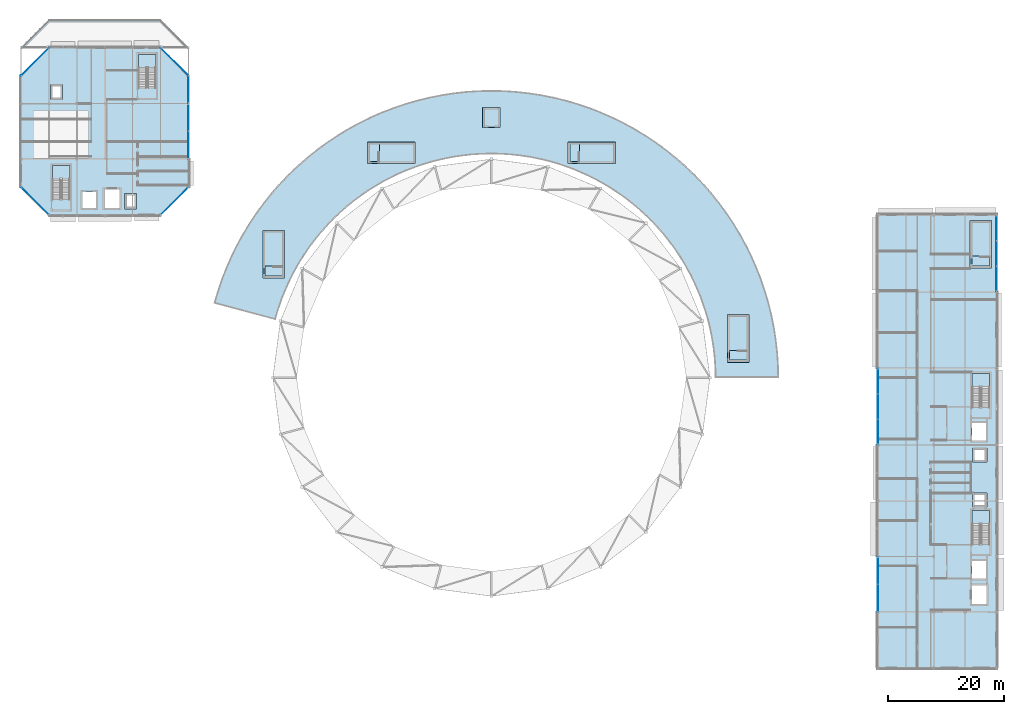
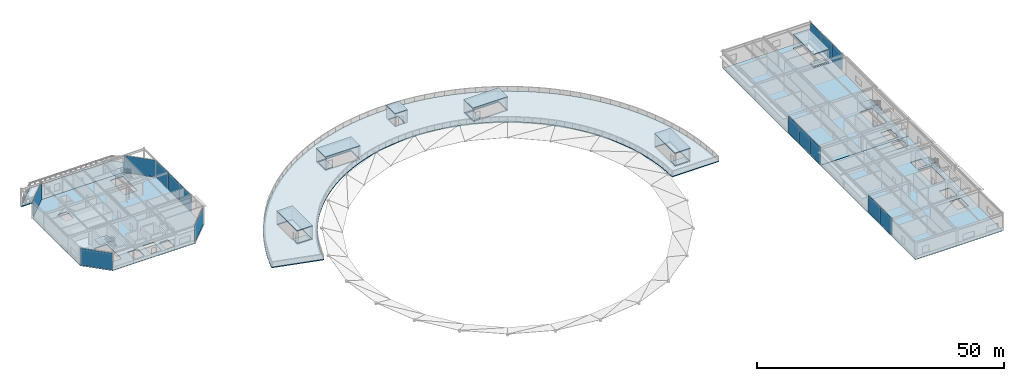
# One storey, part 26 of 50: 20 slabs, 15 plates, 13 elements without a shape of their own.
"""IFC4 building model written with IfcOpenShell, lengths in metres."""

from ifc_helpers import new_model, si_unit, direction, frame, origin, origin_2d, place, context, subcontext, project, spatial, polyline, rectangle, outline, extrude, material, layer, layer_set, type_object, element, aggregate, save


model = new_model("IFC4")

# Units and contexts
model_context = context("Model", 3, precision=1e-05, world=origin(), true_north=direction((0.0, 1.0)))
body_context = subcontext(model_context, "Body", "Model", "MODEL_VIEW")
ifc_project = project(units=[si_unit("LENGTHUNIT", "METRE"), si_unit("AREAUNIT", "SQUARE_METRE"), si_unit("VOLUMEUNIT", "CUBIC_METRE"), si_unit("PLANEANGLEUNIT", "RADIAN"), si_unit("MASSUNIT", "GRAM", prefix="KILO")], contexts=[model_context])

# Site, building, storey
site_placement = place(None, origin())
site = spatial("IfcSite", under=ifc_project, at=site_placement, CompositionType="ELEMENT")
building_placement = place(site_placement, origin())
building = spatial("IfcBuilding", under=site, at=building_placement, Name="Almandine Court Research Institute", CompositionType="ELEMENT")
storey_placement = place(building_placement, frame((0.0, 0.0, 23.449951171875)))
storey = spatial("IfcBuildingStorey", under=building, at=storey_placement, Name="L05", CompositionType="ELEMENT", Elevation=23.449951171875)

# Curtain wall, plate
ifc_material_1 = material(Name="Unitised Curtain Wall Framing and Solar Glazing", Category="glass")
curtain_wall_type_1 = type_object("IfcCurtainWallType", Name="CW-CWG-10", PredefinedType="USERDEFINED", material=ifc_material_1)
curtain_wall_1_placement = place(storey_placement, origin())
curtain_wall_1 = element("IfcCurtainWall", 1, at=curtain_wall_1_placement, inside=storey, type_object=curtain_wall_type_1, Name="L05 Cleanroom NW Chamfer Glazing", ObjectType="UNITISED GLAZING", PredefinedType="USERDEFINED")
ifc_material_2 = material(Name="Double-Glazed Low-E Argon Insulated Glass", Category="glass")
ifc_layer_1 = layer(ifc_material_2, 0.028076171875)
ifc_layer_set_1 = layer_set([ifc_layer_1], Name="Double-Glazed Low-E Argon Insulated Glass")
plate_type_1 = type_object("IfcPlateType", Name="CWPnl-GLZ-28", PredefinedType="CURTAIN_PANEL", material=ifc_layer_set_1)
plate_1_placement = place(storey_placement, frame((8.39990234375, 110.39990234375, 0.06005859375), z_axis=(0.0, 0.0, 1.0), x_axis=(0.707106781187, 0.707106781187, 0.0)))
plate_1 = element("IfcPlate", 2, at=plate_1_placement, type_object=plate_type_1, Name="CWG-10 panel 1.1", PredefinedType="CURTAIN_PANEL", context=body_context, shape_type="SweptSolid", body=[
    extrude(rectangle(XDim=6.656982421875, YDim=0.028076171875, at=origin_2d()), origin(), (0.0, 0.0, 1.0), 4.18994140625),
])
aggregate(curtain_wall_1, [plate_1])

curtain_wall_2_placement = place(storey_placement, origin())
curtain_wall_2 = element("IfcCurtainWall", 3, at=curtain_wall_2_placement, inside=storey, type_object=curtain_wall_type_1, Name="L05 Cleanroom NE Chamfer Glazing", ObjectType="UNITISED GLAZING", PredefinedType="USERDEFINED")
plate_2_placement = place(storey_placement, frame((32.39990234375, 110.39990234375, 0.06005859375), z_axis=(0.0, 0.0, 1.0), x_axis=(0.707106781187, -0.707106781187, 0.0)))
plate_2 = element("IfcPlate", 4, at=plate_2_placement, type_object=plate_type_1, Name="CWG-10 panel 1.1", PredefinedType="CURTAIN_PANEL", context=body_context, shape_type="SweptSolid", body=[
    extrude(rectangle(XDim=6.656982421875, YDim=0.028076171875, at=origin_2d()), origin(), (0.0, 0.0, 1.0), 4.18994140625),
])
aggregate(curtain_wall_2, [plate_2])

curtain_wall_3_placement = place(storey_placement, origin())
curtain_wall_3 = element("IfcCurtainWall", 5, at=curtain_wall_3_placement, inside=storey, type_object=curtain_wall_type_1, Name="L05 Cleanroom SE Chamfer Glazing", ObjectType="UNITISED GLAZING", PredefinedType="USERDEFINED")
plate_3_placement = place(storey_placement, frame((32.39990234375, 86.39990234375, 0.06005859375), z_axis=(0.0, 0.0, 1.0), x_axis=(-0.707106781187, -0.707106781187, 0.0)))
plate_3 = element("IfcPlate", 6, at=plate_3_placement, type_object=plate_type_1, Name="CWG-10 panel 1.1", PredefinedType="CURTAIN_PANEL", context=body_context, shape_type="SweptSolid", body=[
    extrude(rectangle(XDim=6.656982421875, YDim=0.028076171875, at=origin_2d()), origin(), (0.0, 0.0, 1.0), 4.18994140625),
])
aggregate(curtain_wall_3, [plate_3])

curtain_wall_4_placement = place(storey_placement, origin())
curtain_wall_4 = element("IfcCurtainWall", 7, at=curtain_wall_4_placement, inside=storey, type_object=curtain_wall_type_1, Name="L05 Cleanroom SW Chamfer Glazing", ObjectType="UNITISED GLAZING", PredefinedType="USERDEFINED")
plate_4_placement = place(storey_placement, frame((8.39990234375, 86.39990234375, 0.06005859375), z_axis=(0.0, 0.0, 1.0), x_axis=(-0.707106781187, 0.707106781187, 0.0)))
plate_4 = element("IfcPlate", 8, at=plate_4_placement, type_object=plate_type_1, Name="CWG-10 panel 1.1", PredefinedType="CURTAIN_PANEL", context=body_context, shape_type="SweptSolid", body=[
    extrude(rectangle(XDim=6.656982421875, YDim=0.028076171875, at=origin_2d()), origin(), (0.0, 0.0, 1.0), 4.18994140625),
])
aggregate(curtain_wall_4, [plate_4])

# Curtain wall, plates
curtain_wall_type_2 = type_object("IfcCurtainWallType", Name="CW-CWJ-11", PredefinedType="USERDEFINED", material=ifc_material_1)
curtain_wall_5_placement = place(storey_placement, origin())
curtain_wall_5 = element("IfcCurtainWall", 9, at=curtain_wall_5_placement, inside=storey, type_object=curtain_wall_type_2, Name="L05 Cleanroom East Courtyard Jali Screen 2", ObjectType="SOLAR JALI SCREEN", PredefinedType="USERDEFINED")
ifc_material_3 = material(Name="Perforated Ochre Terracotta Jali Solar Cassette", Category="masonry")
ifc_layer_2 = layer(ifc_material_3, 0.035888671875)
ifc_layer_set_2 = layer_set([ifc_layer_2], Name="Perforated Ochre Terracotta Jali Solar Cassette")
plate_type_2 = type_object("IfcPlateType", Name="CWPnl-JALI-36", PredefinedType="CURTAIN_PANEL", material=ifc_layer_set_2)
plate_5_placement = place(storey_placement, frame((34.800048828125, 100.78173828125, 0.06494140625), z_axis=(0.0, 0.0, 1.0), x_axis=(0.0, -1.0, 0.0)))
plate_5 = element("IfcPlate", 10, at=plate_5_placement, type_object=plate_type_2, Name="CWJ-11 panel 1.1", PredefinedType="CURTAIN_PANEL", context=body_context, shape_type="SweptSolid", body=[
    extrude(rectangle(XDim=4.698486328125, YDim=0.035888671875, at=origin_2d()), origin(), (0.0, 0.0, 1.0), 4.179931640625),
])
plate_6_placement = place(storey_placement, frame((34.800048828125, 96.018310546875, 0.06494140625), z_axis=(0.0, 0.0, 1.0), x_axis=(0.0, -1.0, 0.0)))
plate_6 = element("IfcPlate", 11, at=plate_6_placement, type_object=plate_type_2, Name="CWJ-11 panel 2.1", PredefinedType="CURTAIN_PANEL", context=body_context, shape_type="SweptSolid", body=[
    extrude(rectangle(XDim=4.698486328125, YDim=0.035888671875, at=origin_2d()), origin(), (0.0, 0.0, 1.0), 4.179931640625),
])
aggregate(curtain_wall_5, [plate_5, plate_6])

# Curtain wall, plate
curtain_wall_type_3 = type_object("IfcCurtainWallType", Name="CW-CWJ-12", PredefinedType="USERDEFINED", material=ifc_material_1)
curtain_wall_6_placement = place(storey_placement, origin())
curtain_wall_6 = element("IfcCurtainWall", 12, at=curtain_wall_6_placement, inside=storey, type_object=curtain_wall_type_3, Name="L05 Cleanroom East Courtyard Jali Screen 3", ObjectType="SOLAR JALI SCREEN", PredefinedType="USERDEFINED")
plate_7_placement = place(storey_placement, frame((34.800048828125, 105.60009765625, 0.06494140625), z_axis=(0.0, 0.0, 1.0), x_axis=(0.0, -1.0, 0.0)))
plate_7 = element("IfcPlate", 13, at=plate_7_placement, type_object=plate_type_2, Name="CWJ-12 panel 1.1", PredefinedType="CURTAIN_PANEL", context=body_context, shape_type="SweptSolid", body=[
    extrude(rectangle(XDim=4.662109375, YDim=0.035888671875, at=origin_2d()), origin(), (0.0, 0.0, 1.0), 4.179931640625),
])
aggregate(curtain_wall_6, [plate_7])

# Curtain wall, plates
curtain_wall_type_4 = type_object("IfcCurtainWallType", Name="CW-CWJ-09", PredefinedType="USERDEFINED", material=ifc_material_1)
curtain_wall_7_placement = place(storey_placement, origin())
curtain_wall_7 = element("IfcCurtainWall", 14, at=curtain_wall_7_placement, inside=storey, type_object=curtain_wall_type_4, Name="L05 Wet Lab West Courtyard Jali Curtain Wall 2", ObjectType="SOLAR JALI SCREEN", PredefinedType="USERDEFINED")
plate_8_placement = place(storey_placement, frame((153.60009765625, 18.018310546875, 0.06494140625), z_axis=(0.0, 0.0, 1.0), x_axis=(0.0, 1.0, 0.0)))
plate_8 = element("IfcPlate", 15, at=plate_8_placement, type_object=plate_type_2, Name="CWJ-09 panel 1.1", PredefinedType="CURTAIN_PANEL", context=body_context, shape_type="SweptSolid", body=[
    extrude(rectangle(XDim=4.698486328125, YDim=0.035888671875, at=origin_2d()), origin(), (0.0, 0.0, 1.0), 4.239990234375),
])
plate_9_placement = place(storey_placement, frame((153.60009765625, 22.78173828125, 0.06494140625), z_axis=(0.0, 0.0, 1.0), x_axis=(0.0, 1.0, 0.0)))
plate_9 = element("IfcPlate", 16, at=plate_9_placement, type_object=plate_type_2, Name="CWJ-09 panel 2.1", PredefinedType="CURTAIN_PANEL", context=body_context, shape_type="SweptSolid", body=[
    extrude(rectangle(XDim=4.698486328125, YDim=0.035888671875, at=origin_2d()), origin(), (0.0, 0.0, 1.0), 4.239990234375),
])
aggregate(curtain_wall_7, [plate_8, plate_9])

curtain_wall_type_5 = type_object("IfcCurtainWallType", Name="CW-CWJ-16", PredefinedType="USERDEFINED", material=ifc_material_1)
curtain_wall_8_placement = place(storey_placement, origin())
curtain_wall_8 = element("IfcCurtainWall", 17, at=curtain_wall_8_placement, inside=storey, type_object=curtain_wall_type_5, Name="L05 Wet Lab West Courtyard Jali Curtain Wall 5", ObjectType="SOLAR JALI SCREEN", PredefinedType="USERDEFINED")
plate_10_placement = place(storey_placement, frame((153.60009765625, 46.618896484375, 0.06494140625), z_axis=(0.0, 0.0, 1.0), x_axis=(0.0, 1.0, 0.0)))
plate_10 = element("IfcPlate", 18, at=plate_10_placement, type_object=plate_type_2, Name="CWJ-16 panel 1.1", PredefinedType="CURTAIN_PANEL", context=body_context, shape_type="SweptSolid", body=[
    extrude(rectangle(XDim=4.2998046875, YDim=0.035888671875, at=origin_2d()), origin(), (0.0, 0.0, 1.0), 4.239990234375),
])
plate_11_placement = place(storey_placement, frame((153.60009765625, 51.0, 0.06494140625), z_axis=(0.0, 0.0, 1.0), x_axis=(0.0, 1.0, 0.0)))
plate_11 = element("IfcPlate", 19, at=plate_11_placement, type_object=plate_type_2, Name="CWJ-16 panel 2.1", PredefinedType="CURTAIN_PANEL", context=body_context, shape_type="SweptSolid", body=[
    extrude(rectangle(XDim=4.332275390625, YDim=0.035888671875, at=origin_2d()), origin(), (0.0, 0.0, 1.0), 4.239990234375),
])
plate_12_placement = place(storey_placement, frame((153.60009765625, 55.381103515625, 0.06494140625), z_axis=(0.0, 0.0, 1.0), x_axis=(0.0, 1.0, 0.0)))
plate_12 = element("IfcPlate", 20, at=plate_12_placement, type_object=plate_type_2, Name="CWJ-16 panel 3.1", PredefinedType="CURTAIN_PANEL", context=body_context, shape_type="SweptSolid", body=[
    extrude(rectangle(XDim=4.2998046875, YDim=0.035888671875, at=origin_2d()), origin(), (0.0, 0.0, 1.0), 4.239990234375),
])
aggregate(curtain_wall_8, [plate_10, plate_11, plate_12])

curtain_wall_9_placement = place(storey_placement, origin())
curtain_wall_9 = element("IfcCurtainWall", 21, at=curtain_wall_9_placement, inside=storey, type_object=curtain_wall_type_5, Name="L05 Wet Lab East Jali Curtain Wall 7", ObjectType="SOLAR JALI SCREEN", PredefinedType="USERDEFINED")
plate_13_placement = place(storey_placement, frame((174.0, 81.781005859375, 0.06494140625), z_axis=(0.0, 0.0, 1.0), x_axis=(0.0, -1.0, 0.0)))
plate_13 = element("IfcPlate", 22, at=plate_13_placement, type_object=plate_type_2, Name="CWJ-16 panel 1.1", PredefinedType="CURTAIN_PANEL", context=body_context, shape_type="SweptSolid", body=[
    extrude(rectangle(XDim=4.2998046875, YDim=0.035888671875, at=origin_2d()), origin(), (0.0, 0.0, 1.0), 4.239990234375),
])
plate_14_placement = place(storey_placement, frame((174.0, 77.39990234375, 0.06494140625), z_axis=(0.0, 0.0, 1.0), x_axis=(0.0, -1.0, 0.0)))
plate_14 = element("IfcPlate", 23, at=plate_14_placement, type_object=plate_type_2, Name="CWJ-16 panel 2.1", PredefinedType="CURTAIN_PANEL", context=body_context, shape_type="SweptSolid", body=[
    extrude(rectangle(XDim=4.332275390625, YDim=0.035888671875, at=origin_2d()), origin(), (0.0, 0.0, 1.0), 4.239990234375),
])
plate_15_placement = place(storey_placement, frame((174.0, 73.018798828125, 0.06494140625), z_axis=(0.0, 0.0, 1.0), x_axis=(0.0, -1.0, 0.0)))
plate_15 = element("IfcPlate", 24, at=plate_15_placement, type_object=plate_type_2, Name="CWJ-16 panel 3.1", PredefinedType="CURTAIN_PANEL", context=body_context, shape_type="SweptSolid", body=[
    extrude(rectangle(XDim=4.2998046875, YDim=0.035888671875, at=origin_2d()), origin(), (0.0, 0.0, 1.0), 4.239990234375),
])
aggregate(curtain_wall_9, [plate_13, plate_14, plate_15])

# Slabs
ifc_material_4 = material(Name="Concrete C35/45", Category="concrete")
ifc_layer_3 = layer(ifc_material_4, 0.179931640625)
ifc_layer_set_3 = layer_set([ifc_layer_3], Name="Concrete C35/45")
slab_type_1 = type_object("IfcSlabType", Name="Slab-FLR-180", PredefinedType="FLOOR", material=ifc_layer_set_3)
slab_1_placement = place(storey_placement, frame((0.0, 0.0, -0.179931640625)))
element("IfcSlab", 25, at=slab_1_placement, inside=storey, type_object=slab_type_1, Name="L05 Volume 3 Cleanroom Pavilion Floor Slab ", PredefinedType="FLOOR", context=body_context, shape_type="SweptSolid", body=[
    extrude(outline(polyline([(10.800048828125, 84.0), (30.0, 84.0), (34.800048828125, 88.800048828125), (34.800048828125, 108.0), (30.0, 112.800048828125), (10.800048828125, 112.800048828125), (6.0, 108.0), (6.0, 88.800048828125), (10.800048828125, 84.0)]), holes=[polyline([(14.39990234375, 86.64990234375), (14.39990234375, 92.5), (11.39990234375, 92.5), (11.39990234375, 86.64990234375), (14.39990234375, 86.64990234375)]), polyline([(29.199951171875, 105.85009765625), (29.199951171875, 111.699951171875), (26.199951171875, 111.699951171875), (26.199951171875, 105.85009765625), (29.199951171875, 105.85009765625)]), polyline([(16.60009765625, 85.199951171875), (18.89990234375, 85.199951171875), (18.89990234375, 88.0), (16.60009765625, 88.0), (16.60009765625, 85.199951171875)]), polyline([(20.39990234375, 85.199951171875), (22.89990234375, 85.199951171875), (22.89990234375, 88.39990234375), (20.39990234375, 88.39990234375), (20.39990234375, 85.199951171875)]), polyline([(23.830078125, 85.080078125), (25.8701171875, 85.080078125), (25.8701171875, 87.719970703125), (23.830078125, 87.719970703125), (23.830078125, 85.080078125)]), polyline([(11.080078125, 103.8798828125), (13.1201171875, 103.8798828125), (13.1201171875, 106.52001953125), (11.080078125, 106.52001953125), (11.080078125, 103.8798828125)])]), origin(), (0.0, 0.0, 1.0), 0.179931640625),
])
slab_2_placement = place(storey_placement, frame((0.0, 0.0, -0.179931640625)))
element("IfcSlab", 26, at=slab_2_placement, inside=storey, type_object=slab_type_1, Name="L05 Volume 4 Wet Laboratory S Floor Slab", PredefinedType="FLOOR", context=body_context, shape_type="SweptSolid", body=[
    extrude(outline(polyline([(153.60009765625, 6.0), (174.0, 6.0), (174.0, 44.39990234375), (153.60009765625, 44.39990234375), (153.60009765625, 6.0)]), holes=[polyline([(172.800048828125, 27.25), (172.800048828125, 33.10009765625), (169.800048828125, 33.10009765625), (169.800048828125, 27.25), (172.800048828125, 27.25)]), polyline([(169.800048828125, 21.39990234375), (172.199951171875, 21.39990234375), (172.199951171875, 24.39990234375), (169.800048828125, 24.39990234375), (169.800048828125, 21.39990234375)]), polyline([(169.800048828125, 17.0), (172.300048828125, 17.0), (172.300048828125, 20.199951171875), (169.800048828125, 20.199951171875), (169.800048828125, 17.0)]), polyline([(169.8798828125, 33.679931640625), (172.320068359375, 33.679931640625), (172.320068359375, 36.1201171875), (169.8798828125, 36.1201171875), (169.8798828125, 33.679931640625)]), polyline([(169.8798828125, 41.47998046875), (172.320068359375, 41.47998046875), (172.320068359375, 43.919921875), (169.8798828125, 43.919921875), (169.8798828125, 41.47998046875)])]), origin(), (0.0, 0.0, 1.0), 0.179931640625),
])
slab_3_placement = place(storey_placement, frame((0.0, 0.0, -0.179931640625)))
element("IfcSlab", 27, at=slab_3_placement, inside=storey, type_object=slab_type_1, Name="L05 Volume 4 Wet Laboratory N Floor Slab", PredefinedType="FLOOR", context=body_context, shape_type="SweptSolid", body=[
    extrude(outline(polyline([(153.60009765625, 44.39990234375), (174.0, 44.39990234375), (174.0, 84.0), (153.60009765625, 84.0), (153.60009765625, 44.39990234375)]), holes=[polyline([(172.800048828125, 50.85009765625), (172.800048828125, 56.699951171875), (169.800048828125, 56.699951171875), (169.800048828125, 50.85009765625), (172.800048828125, 50.85009765625)]), polyline([(169.47998046875, 74.8798828125), (173.1201171875, 74.8798828125), (173.1201171875, 83.02001953125), (169.47998046875, 83.02001953125), (169.47998046875, 74.8798828125)]), polyline([(169.800048828125, 45.199951171875), (172.199951171875, 45.199951171875), (172.199951171875, 48.199951171875), (169.800048828125, 48.199951171875), (169.800048828125, 45.199951171875)])]), origin(), (0.0, 0.0, 1.0), 0.179931640625),
])

# Stair, slab
stair_type = type_object("IfcStairType", Name="Stair-Core-26R", PredefinedType="HALF_TURN_STAIR", material=ifc_material_4)
stair_1_placement = place(storey_placement, origin())
stair_1 = element("IfcStair", 28, at=stair_1_placement, inside=storey, type_object=stair_type, Name="L05 Cleanroom Pavilion South Exit Stair", PredefinedType="HALF_TURN_STAIR")
ifc_layer_4 = layer(ifc_material_4, 0.179931640625)
ifc_layer_set_4 = layer_set([ifc_layer_4], Name="Concrete C35/45")
slab_type_2 = type_object("IfcSlabType", Name="Slab-Landing-180", PredefinedType="LANDING", material=ifc_layer_set_4)
slab_4_placement = place(storey_placement, frame((0.0, 0.0, 2.094970703125)))
slab_4 = element("IfcSlab", 29, at=slab_4_placement, type_object=slab_type_2, Name="ST-05 landing 1", PredefinedType="LANDING", context=body_context, shape_type="SweptSolid", body=[
    extrude(outline(polyline([(14.39990234375, 90.25), (14.39990234375, 92.5), (11.39990234375, 92.5), (11.39990234375, 90.25), (14.39990234375, 90.25)])), origin(), (0.0, 0.0, 1.0), 0.18017578125),
])
aggregate(stair_1, [slab_4])

stair_2_placement = place(storey_placement, origin())
stair_2 = element("IfcStair", 30, at=stair_2_placement, inside=storey, type_object=stair_type, Name="L05 Cleanroom Pavilion North Exit Stair", PredefinedType="HALF_TURN_STAIR")
slab_5_placement = place(storey_placement, frame((0.0, 0.0, 2.094970703125)))
slab_5 = element("IfcSlab", 31, at=slab_5_placement, type_object=slab_type_2, Name="ST-06 landing 1", PredefinedType="LANDING", context=body_context, shape_type="SweptSolid", body=[
    extrude(outline(polyline([(29.199951171875, 109.449951171875), (29.199951171875, 111.699951171875), (26.199951171875, 111.699951171875), (26.199951171875, 109.449951171875), (29.199951171875, 109.449951171875)])), origin(), (0.0, 0.0, 1.0), 0.18017578125),
])
aggregate(stair_2, [slab_5])

stair_3_placement = place(storey_placement, origin())
stair_3 = element("IfcStair", 32, at=stair_3_placement, inside=storey, type_object=stair_type, Name="L05 Wet Lab South High-Rise Core Stair", PredefinedType="HALF_TURN_STAIR")
slab_6_placement = place(storey_placement, frame((0.0, 0.0, 2.094970703125)))
slab_6 = element("IfcSlab", 33, at=slab_6_placement, type_object=slab_type_2, Name="ST-07 landing 1", PredefinedType="LANDING", context=body_context, shape_type="SweptSolid", body=[
    extrude(outline(polyline([(172.800048828125, 30.85009765625), (172.800048828125, 33.10009765625), (169.800048828125, 33.10009765625), (169.800048828125, 30.85009765625), (172.800048828125, 30.85009765625)])), origin(), (0.0, 0.0, 1.0), 0.18017578125),
])
aggregate(stair_3, [slab_6])

stair_4_placement = place(storey_placement, origin())
stair_4 = element("IfcStair", 34, at=stair_4_placement, inside=storey, type_object=stair_type, Name="L05 Wet Lab Central High-Rise Core Stair", PredefinedType="HALF_TURN_STAIR")
slab_7_placement = place(storey_placement, frame((0.0, 0.0, 2.094970703125)))
slab_7 = element("IfcSlab", 35, at=slab_7_placement, type_object=slab_type_2, Name="ST-08 landing 1", PredefinedType="LANDING", context=body_context, shape_type="SweptSolid", body=[
    extrude(outline(polyline([(172.800048828125, 54.449951171875), (172.800048828125, 56.699951171875), (169.800048828125, 56.699951171875), (169.800048828125, 54.449951171875), (172.800048828125, 54.449951171875)])), origin(), (0.0, 0.0, 1.0), 0.18017578125),
])
aggregate(stair_4, [slab_7])

# Slabs
ifc_layer_5 = layer(ifc_material_4, 0.199951171875)
ifc_layer_set_5 = layer_set([ifc_layer_5], Name="Concrete C35/45")
slab_type_3 = type_object("IfcSlabType", Name="Slab-PHF-200", PredefinedType="FLOOR", material=ifc_layer_set_5)
slab_8_placement = place(storey_placement, frame((0.0, 0.0, -0.199951171875)))
element("IfcSlab", 36, at=slab_8_placement, inside=storey, type_object=slab_type_3, Name="L05 ST-13 Penthouse Landing Slab", PredefinedType="FLOOR", context=body_context, shape_type="SweptSolid", body=[
    extrude(outline(polyline([(172.800048828125, 75.199951171875), (172.800048828125, 76.909912109375), (169.800048828125, 76.909912109375), (169.800048828125, 75.199951171875), (172.800048828125, 75.199951171875)])), origin(), (0.0, 0.0, 1.0), 0.199951171875),
])
slab_9_placement = place(storey_placement, frame((0.0, 0.0, -0.199951171875)))
element("IfcSlab", 37, at=slab_9_placement, inside=storey, type_object=slab_type_3, Name="L05 ST-09 Penthouse Landing Slab", PredefinedType="FLOOR", context=body_context, shape_type="SweptSolid", body=[
    extrude(outline(polyline([(100.5, 93.199951171875), (102.2099609375, 93.199951171875), (102.2099609375, 96.199951171875), (100.5, 96.199951171875), (100.5, 93.199951171875)])), origin(), (0.0, 0.0, 1.0), 0.199951171875),
])
slab_10_placement = place(storey_placement, frame((0.0, 0.0, -0.199951171875)))
element("IfcSlab", 38, at=slab_10_placement, inside=storey, type_object=slab_type_3, Name="L05 ST-10 Penthouse Landing Slab", PredefinedType="FLOOR", context=body_context, shape_type="SweptSolid", body=[
    extrude(outline(polyline([(66.0, 93.199951171875), (67.7099609375, 93.199951171875), (67.7099609375, 96.199951171875), (66.0, 96.199951171875), (66.0, 93.199951171875)])), origin(), (0.0, 0.0, 1.0), 0.199951171875),
])
slab_11_placement = place(storey_placement, frame((0.0, 0.0, -0.199951171875)))
element("IfcSlab", 39, at=slab_11_placement, inside=storey, type_object=slab_type_3, Name="L05 ST-14 Penthouse Landing Slab", PredefinedType="FLOOR", context=body_context, shape_type="SweptSolid", body=[
    extrude(outline(polyline([(131.0, 59.0), (131.0, 60.7099609375), (128.0, 60.7099609375), (128.0, 59.0), (131.0, 59.0)])), origin(), (0.0, 0.0, 1.0), 0.199951171875),
])
slab_12_placement = place(storey_placement, frame((0.0, 0.0, -0.199951171875)))
element("IfcSlab", 40, at=slab_12_placement, inside=storey, type_object=slab_type_3, Name="L05 ST-15 Penthouse Landing Slab", PredefinedType="FLOOR", context=body_context, shape_type="SweptSolid", body=[
    extrude(outline(polyline([(51.0, 73.5), (51.0, 75.2099609375), (48.0, 75.2099609375), (48.0, 73.5), (51.0, 73.5)])), origin(), (0.0, 0.0, 1.0), 0.199951171875),
])
ifc_layer_6 = layer(ifc_material_4, 0.199951171875)
ifc_layer_set_6 = layer_set([ifc_layer_6], Name="Concrete C35/45")
slab_type_4 = type_object("IfcSlabType", Name="Slab-RF-200", PredefinedType="ROOF", material=ifc_layer_set_6)
slab_13_placement = place(storey_placement, frame((0.0, 0.0, 3.199951171875)))
element("IfcSlab", 41, at=slab_13_placement, inside=storey, type_object=slab_type_4, Name="L05 ST-13 Stair Penthouse Roof Slab", PredefinedType="ROOF", context=body_context, shape_type="SweptSolid", body=[
    extrude(outline(polyline([(169.449951171875, 74.85009765625), (173.14990234375, 74.85009765625), (173.14990234375, 83.050048828125), (169.449951171875, 83.050048828125), (169.449951171875, 74.85009765625)])), origin(), (0.0, 0.0, 1.0), 0.2001953125),
])
slab_14_placement = place(storey_placement, frame((0.0, 0.0, 3.199951171875)))
element("IfcSlab", 42, at=slab_14_placement, inside=storey, type_object=slab_type_4, Name="L05 ST-09 Stair Penthouse Roof Slab", PredefinedType="ROOF", context=body_context, shape_type="SweptSolid", body=[
    extrude(outline(polyline([(100.14990234375, 92.85009765625), (108.35009765625, 92.85009765625), (108.35009765625, 96.550048828125), (100.14990234375, 96.550048828125), (100.14990234375, 92.85009765625)])), origin(), (0.0, 0.0, 1.0), 0.2001953125),
])
slab_15_placement = place(storey_placement, frame((0.0, 0.0, 3.199951171875)))
element("IfcSlab", 43, at=slab_15_placement, inside=storey, type_object=slab_type_4, Name="L05 ST-10 Stair Penthouse Roof Slab", PredefinedType="ROOF", context=body_context, shape_type="SweptSolid", body=[
    extrude(outline(polyline([(65.64990234375, 92.85009765625), (73.85009765625, 92.85009765625), (73.85009765625, 96.550048828125), (65.64990234375, 96.550048828125), (65.64990234375, 92.85009765625)])), origin(), (0.0, 0.0, 1.0), 0.2001953125),
])
slab_16_placement = place(storey_placement, frame((0.0, 0.0, 3.199951171875)))
element("IfcSlab", 44, at=slab_16_placement, inside=storey, type_object=slab_type_4, Name="L05 ST-14 Stair Penthouse Roof Slab", PredefinedType="ROOF", context=body_context, shape_type="SweptSolid", body=[
    extrude(outline(polyline([(127.64990234375, 58.64990234375), (131.35009765625, 58.64990234375), (131.35009765625, 66.85009765625), (127.64990234375, 66.85009765625), (127.64990234375, 58.64990234375)])), origin(), (0.0, 0.0, 1.0), 0.2001953125),
])
slab_17_placement = place(storey_placement, frame((0.0, 0.0, 3.199951171875)))
element("IfcSlab", 45, at=slab_17_placement, inside=storey, type_object=slab_type_4, Name="L05 ST-15 Stair Penthouse Roof Slab", PredefinedType="ROOF", context=body_context, shape_type="SweptSolid", body=[
    extrude(outline(polyline([(47.64990234375, 73.14990234375), (51.35009765625, 73.14990234375), (51.35009765625, 81.35009765625), (47.64990234375, 81.35009765625), (47.64990234375, 73.14990234375)])), origin(), (0.0, 0.0, 1.0), 0.2001953125),
])
slab_18_placement = place(storey_placement, frame((0.0, 0.0, 3.199951171875)))
element("IfcSlab", 46, at=slab_18_placement, inside=storey, type_object=slab_type_4, Name="L05 PL-04 Lift Overrun Roof Slab", PredefinedType="ROOF", context=body_context, shape_type="SweptSolid", body=[
    extrude(outline(polyline([(85.5, 99.050048828125), (88.5, 99.050048828125), (88.5, 102.550048828125), (85.5, 102.550048828125), (85.5, 99.050048828125)])), origin(), (0.0, 0.0, 1.0), 0.2001953125),
])
ifc_layer_7 = layer(ifc_material_4, 0.239990234375)
ifc_layer_set_7 = layer_set([ifc_layer_7], Name="Concrete C35/45")
slab_type_5 = type_object("IfcSlabType", Name="Slab-RF-240", PredefinedType="ROOF", material=ifc_layer_set_7)
slab_19_placement = place(storey_placement, frame((0.0, 0.0, -0.239990234375)))
element("IfcSlab", 47, at=slab_19_placement, inside=storey, type_object=slab_type_5, Name="L05 Volume 5 Planted Drum Roof Terrace Slab", PredefinedType="ROOF", context=body_context, shape_type="SweptSolid", body=[
    extrude(outline(polyline([(136.5, 56.0), (136.452880859375, 58.158935546875), (136.31201171875, 60.31396484375), (136.076904296875, 62.4609375), (135.748046875, 64.595947265625), (135.326904296875, 66.714111328125), (134.81298828125, 68.81201171875), (134.208984375, 70.885009765625), (133.514892578125, 72.929931640625), (132.73193359375, 74.943115234375), (131.862060546875, 76.919921875), (130.906982421875, 78.85693359375), (129.867919921875, 80.75), (128.748046875, 82.595947265625), (127.548095703125, 84.39208984375), (126.27099609375, 86.134033203125), (124.9189453125, 87.818115234375), (123.4951171875, 89.44189453125), (122.001953125, 91.001953125), (120.44189453125, 92.4951171875), (118.818115234375, 93.9189453125), (117.134033203125, 95.27099609375), (115.39208984375, 96.548095703125), (113.595947265625, 97.748046875), (111.75, 98.867919921875), (109.85693359375, 99.906982421875), (107.919921875, 100.862060546875), (105.943115234375, 101.73193359375), (103.929931640625, 102.514892578125), (101.885009765625, 103.208984375), (99.81201171875, 103.81298828125), (97.714111328125, 104.326904296875), (95.595947265625, 104.748046875), (93.4609375, 105.076904296875), (91.31396484375, 105.31201171875), (89.158935546875, 105.452880859375), (87.0, 105.5), (84.841064453125, 105.452880859375), (82.68603515625, 105.31201171875), (80.5390625, 105.076904296875), (78.404052734375, 104.748046875), (76.285888671875, 104.326904296875), (74.18798828125, 103.81298828125), (72.114990234375, 103.208984375), (70.070068359375, 102.514892578125), (68.056884765625, 101.73193359375), (66.080078125, 100.862060546875), (64.14306640625, 99.906982421875), (62.25, 98.867919921875), (60.404052734375, 97.748046875), (58.60791015625, 96.548095703125), (56.865966796875, 95.27099609375), (55.181884765625, 93.9189453125), (53.55810546875, 92.4951171875), (51.998046875, 91.001953125), (50.5048828125, 89.44189453125), (49.0810546875, 87.818115234375), (47.72900390625, 86.134033203125), (46.451904296875, 84.39208984375), (45.251953125, 82.595947265625), (44.132080078125, 80.75), (43.093017578125, 78.85693359375), (42.137939453125, 76.919921875), (41.26806640625, 74.943115234375), (40.485107421875, 72.929931640625), (39.791015625, 70.885009765625), (39.18701171875, 68.81201171875), (49.81201171875, 65.965087890625), (50.281982421875, 67.576904296875), (50.822021484375, 69.16796875), (51.430908203125, 70.73291015625), (52.10693359375, 72.27099609375), (52.85009765625, 73.777099609375), (53.657958984375, 75.25), (54.529052734375, 76.68603515625), (55.462890625, 78.0830078125), (56.4560546875, 79.43701171875), (57.507080078125, 80.7470703125), (58.614990234375, 82.010009765625), (59.77587890625, 83.22412109375), (60.989990234375, 84.385009765625), (62.2529296875, 85.492919921875), (63.56298828125, 86.5439453125), (64.9169921875, 87.537109375), (66.31396484375, 88.470947265625), (67.75, 89.342041015625), (69.222900390625, 90.14990234375), (70.72900390625, 90.89306640625), (72.26708984375, 91.569091796875), (73.83203125, 92.177978515625), (75.423095703125, 92.718017578125), (77.034912109375, 93.18798828125), (78.6669921875, 93.5869140625), (80.31494140625, 93.9150390625), (81.97509765625, 94.1708984375), (83.64501953125, 94.35302734375), (85.321044921875, 94.462890625), (87.0, 94.5), (88.678955078125, 94.462890625), (90.35498046875, 94.35302734375), (92.02490234375, 94.1708984375), (93.68505859375, 93.9150390625), (95.3330078125, 93.5869140625), (96.965087890625, 93.18798828125), (98.576904296875, 92.718017578125), (100.16796875, 92.177978515625), (101.73291015625, 91.569091796875), (103.27099609375, 90.89306640625), (104.777099609375, 90.14990234375), (106.25, 89.342041015625), (107.68603515625, 88.470947265625), (109.0830078125, 87.537109375), (110.43701171875, 86.5439453125), (111.7470703125, 85.492919921875), (113.010009765625, 84.385009765625), (114.22412109375, 83.22412109375), (115.385009765625, 82.010009765625), (116.492919921875, 80.7470703125), (117.5439453125, 79.43701171875), (118.537109375, 78.0830078125), (119.470947265625, 76.68603515625), (120.342041015625, 75.25), (121.14990234375, 73.777099609375), (121.89306640625, 72.27099609375), (122.569091796875, 70.73291015625), (123.177978515625, 69.16796875), (123.718017578125, 67.576904296875), (124.18798828125, 65.965087890625), (124.5869140625, 64.3330078125), (124.9150390625, 62.68505859375), (125.1708984375, 61.02490234375), (125.35302734375, 59.35498046875), (125.462890625, 57.678955078125), (125.5, 56.0), (136.5, 56.0)]), holes=[polyline([(100.179931640625, 92.8798828125), (108.320068359375, 92.8798828125), (108.320068359375, 96.52001953125), (100.179931640625, 96.52001953125), (100.179931640625, 92.8798828125)]), polyline([(65.679931640625, 92.8798828125), (73.820068359375, 92.8798828125), (73.820068359375, 96.52001953125), (65.679931640625, 96.52001953125), (65.679931640625, 92.8798828125)]), polyline([(127.679931640625, 58.679931640625), (131.320068359375, 58.679931640625), (131.320068359375, 66.820068359375), (127.679931640625, 66.820068359375), (127.679931640625, 58.679931640625)]), polyline([(47.679931640625, 73.179931640625), (51.320068359375, 73.179931640625), (51.320068359375, 81.320068359375), (47.679931640625, 81.320068359375), (47.679931640625, 73.179931640625)]), polyline([(85.85009765625, 99.39990234375), (88.14990234375, 99.39990234375), (88.14990234375, 102.199951171875), (85.85009765625, 102.199951171875), (85.85009765625, 99.39990234375)])]), origin(), (0.0, 0.0, 1.0), 0.239990234375),
])
ifc_layer_8 = layer(ifc_material_4, 0.22509765625)
ifc_layer_set_8 = layer_set([ifc_layer_8], Name="Concrete C35/45")
slab_type_6 = type_object("IfcSlabType", Name="Slab-TER-225", PredefinedType="FLOOR", material=ifc_layer_set_8)
slab_20_placement = place(storey_placement, frame((0.0, 0.0, -0.224853515625)))
element("IfcSlab", 48, at=slab_20_placement, inside=storey, type_object=slab_type_6, Name="L05 Cleanroom Pavilion North Collaboration Terrace Slab", PredefinedType="FLOOR", context=body_context, shape_type="SweptSolid", body=[
    extrude(outline(polyline([(6.0, 112.800048828125), (34.800048828125, 112.800048828125), (30.0, 117.60009765625), (10.800048828125, 117.60009765625), (6.0, 112.800048828125)])), origin(), (0.0, 0.0, 1.0), 0.224853515625),
])

save(model, "model.ifc")
